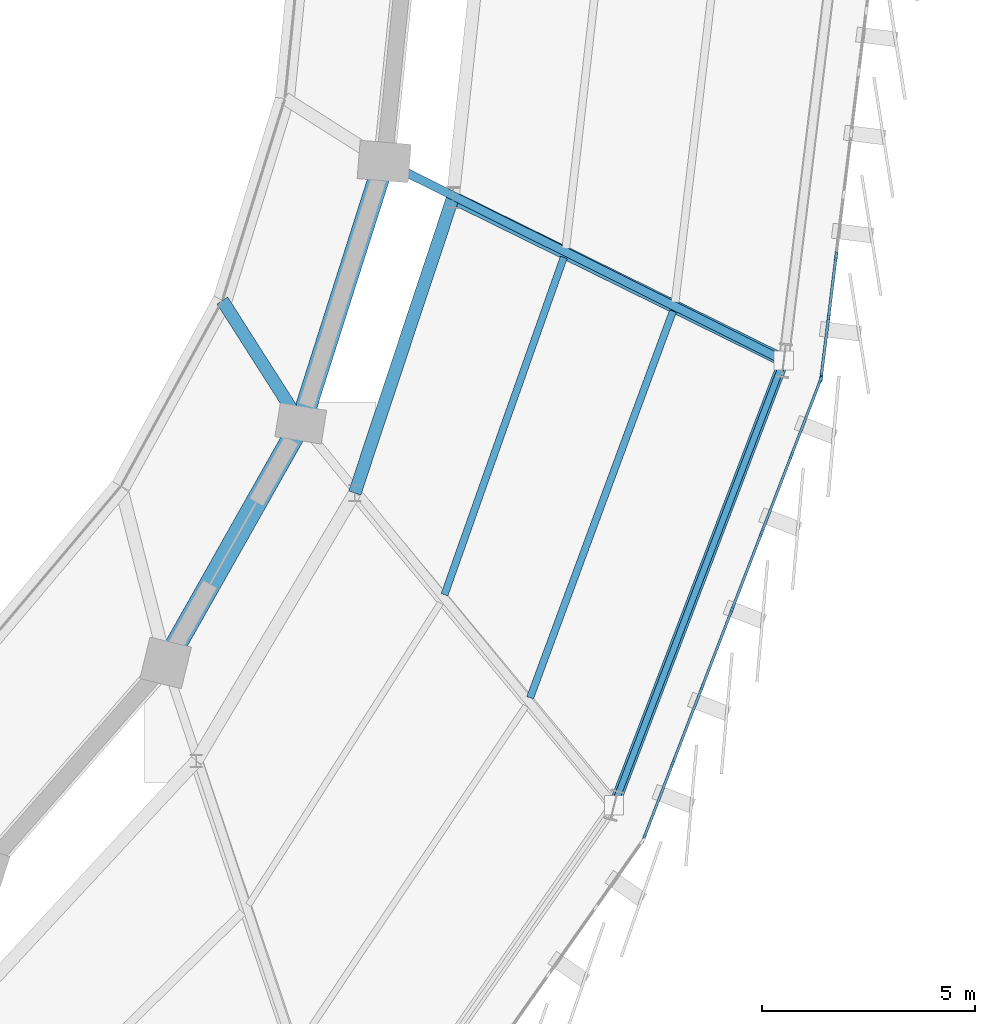
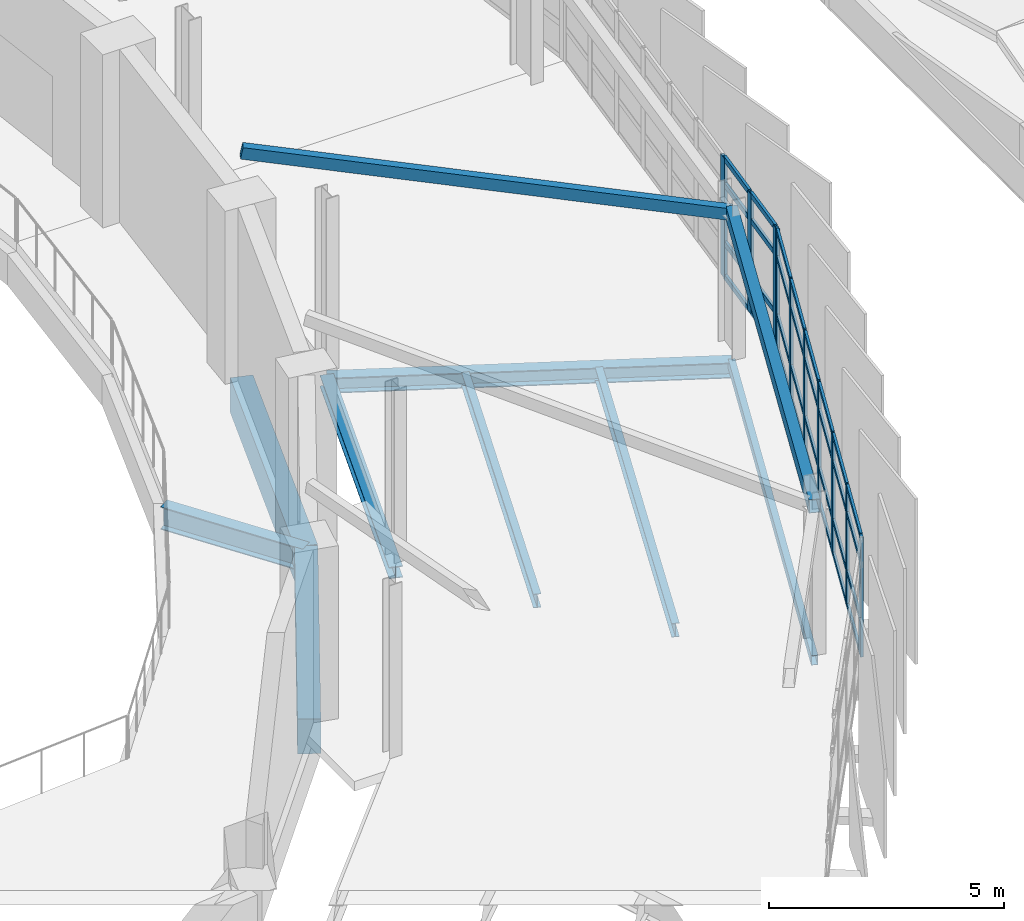
# One storey, part 42 of 87: 44 members, 8 beams, 2 elements without a shape of their own.
"""IFC4 building model written with IfcOpenShell, lengths in metres."""

from ifc_helpers import new_model, si_unit, direction, frame, origin, origin_2d, place, context, subcontext, project, spatial, rectangle, hollow_rectangle, i_section, extrude, material, layer, layer_set, material_profile, profile_set, type_object, element, aggregate, save


model = new_model("IFC4")

# Units and contexts
model_context = context("Model", 3, precision=1e-05, world=origin(), true_north=direction((0.0, 1.0)))
body_context = subcontext(model_context, "Body", "Model", "MODEL_VIEW")
ifc_project = project(units=[si_unit("LENGTHUNIT", "METRE"), si_unit("AREAUNIT", "SQUARE_METRE"), si_unit("VOLUMEUNIT", "CUBIC_METRE"), si_unit("PLANEANGLEUNIT", "RADIAN"), si_unit("MASSUNIT", "GRAM", prefix="KILO")], contexts=[model_context])

# Site, building, storey
site_placement = place(None, origin())
site = spatial("IfcSite", under=ifc_project, at=site_placement, CompositionType="ELEMENT")
building_placement = place(site_placement, origin())
building = spatial("IfcBuilding", under=site, at=building_placement, Name="Sohan Crest Arena", CompositionType="ELEMENT")
storey_placement = place(building_placement, frame((0.0, 0.0, 18.0)))
storey = spatial("IfcBuildingStorey", under=building, at=storey_placement, Name="L04", CompositionType="ELEMENT", Elevation=18.0)

# Curtain wall, members
ifc_material_1 = material(Name="Thermally broken anodised aluminium", Category="aluminium")
ifc_layer_1 = layer(ifc_material_1, 0.239990234375, Name="Thermally broken anodised aluminium")
ifc_layer_set_1 = layer_set([ifc_layer_1], Name="Thermally broken anodised aluminium")
curtain_wall_type_1 = type_object("IfcCurtainWallType", Name="ARC-CW04", PredefinedType="NOTDEFINED", material=ifc_layer_set_1)
curtain_wall_1_placement = place(storey_placement, origin())
curtain_wall_1 = element("IfcCurtainWall", 1, at=curtain_wall_1_placement, inside=storey, type_object=curtain_wall_type_1, Name="Unitised curtain wall CW-133", PredefinedType="NOTDEFINED")
ifc_material_profile_1 = material_profile(ifc_material_1, rectangle(XDim=0.06494140625, YDim=0.179931640625, at=origin_2d()), Name="ALU-MULL 65x180")
ifc_profile_set_1 = profile_set([ifc_material_profile_1], Name="Thermally broken anodised aluminium")
member_type_1 = type_object("IfcMemberType", Name="ARC-CW-ML02", PredefinedType="MULLION", material=ifc_profile_set_1)
member_1_placement = place(storey_placement, frame((183.442626953125, 55.725341796875, 0.0), z_axis=(0.0, 0.0, 1.0), x_axis=(-0.933093964969, 0.359632663337, 0.0)))
member_1 = element("IfcMember", 2, at=member_1_placement, type_object=member_type_1, Name="CW-133 mullion 1", PredefinedType="MULLION", context=body_context, shape_type="SweptSolid", body=[
    extrude(rectangle(XDim=0.06494140625, YDim=0.179931640625, at=origin_2d()), origin(), (0.0, 0.0, 1.0), 3.1201171875),
])
member_2_placement = place(storey_placement, frame((184.125244140625, 57.49658203125, 0.0), z_axis=(0.0, 0.0, 1.0), x_axis=(-0.933093964969, 0.359632663337, 0.0)))
member_2 = element("IfcMember", 3, at=member_2_placement, type_object=member_type_1, Name="CW-133 mullion 2", PredefinedType="MULLION", context=body_context, shape_type="SweptSolid", body=[
    extrude(rectangle(XDim=0.06494140625, YDim=0.179931640625, at=origin_2d()), origin(), (0.0, 0.0, 1.0), 3.1201171875),
])
member_3_placement = place(storey_placement, frame((184.819580078125, 59.298095703125, 0.0), z_axis=(0.0, 0.0, 1.0), x_axis=(-0.933093964969, 0.359632663337, 0.0)))
member_3 = element("IfcMember", 4, at=member_3_placement, type_object=member_type_1, Name="CW-133 mullion 3", PredefinedType="MULLION", context=body_context, shape_type="SweptSolid", body=[
    extrude(rectangle(XDim=0.06494140625, YDim=0.179931640625, at=origin_2d()), origin(), (0.0, 0.0, 1.0), 3.1201171875),
])
member_4_placement = place(storey_placement, frame((185.513916015625, 61.099609375, 0.0), z_axis=(0.0, 0.0, 1.0), x_axis=(-0.933093964969, 0.359632663337, 0.0)))
member_4 = element("IfcMember", 5, at=member_4_placement, type_object=member_type_1, Name="CW-133 mullion 4", PredefinedType="MULLION", context=body_context, shape_type="SweptSolid", body=[
    extrude(rectangle(XDim=0.06494140625, YDim=0.179931640625, at=origin_2d()), origin(), (0.0, 0.0, 1.0), 3.1201171875),
])
member_5_placement = place(storey_placement, frame((186.208251953125, 62.90087890625, 0.0), z_axis=(0.0, 0.0, 1.0), x_axis=(-0.933093964969, 0.359632663337, 0.0)))
member_5 = element("IfcMember", 6, at=member_5_placement, type_object=member_type_1, Name="CW-133 mullion 5", PredefinedType="MULLION", context=body_context, shape_type="SweptSolid", body=[
    extrude(rectangle(XDim=0.06494140625, YDim=0.179931640625, at=origin_2d()), origin(), (0.0, 0.0, 1.0), 3.1201171875),
])
member_6_placement = place(storey_placement, frame((186.902587890625, 64.702392578125, 0.0), z_axis=(0.0, 0.0, 1.0), x_axis=(-0.933093964969, 0.359632663337, 0.0)))
member_6 = element("IfcMember", 7, at=member_6_placement, type_object=member_type_1, Name="CW-133 mullion 6", PredefinedType="MULLION", context=body_context, shape_type="SweptSolid", body=[
    extrude(rectangle(XDim=0.06494140625, YDim=0.179931640625, at=origin_2d()), origin(), (0.0, 0.0, 1.0), 3.1201171875),
])
member_7_placement = place(storey_placement, frame((187.585205078125, 66.4736328125, 0.0), z_axis=(0.0, 0.0, 1.0), x_axis=(-0.933093964969, 0.359632663337, 0.0)))
member_7 = element("IfcMember", 8, at=member_7_placement, type_object=member_type_1, Name="CW-133 mullion 7", PredefinedType="MULLION", context=body_context, shape_type="SweptSolid", body=[
    extrude(rectangle(XDim=0.06494140625, YDim=0.179931640625, at=origin_2d()), origin(), (0.0, 0.0, 1.0), 3.1201171875),
])

ifc_layer_2 = layer(ifc_material_1, 0.18994140625, Name="Thermally broken anodised aluminium")
ifc_layer_set_2 = layer_set([ifc_layer_2], Name="Thermally broken anodised aluminium")
curtain_wall_type_2 = type_object("IfcCurtainWallType", Name="ARC-CW05", PredefinedType="NOTDEFINED", material=ifc_layer_set_2)
curtain_wall_2_placement = place(storey_placement, origin())
curtain_wall_2 = element("IfcCurtainWall", 9, at=curtain_wall_2_placement, inside=storey, type_object=curtain_wall_type_2, Name="Unitised curtain wall CW-134", PredefinedType="NOTDEFINED")
ifc_material_profile_2 = material_profile(ifc_material_1, rectangle(XDim=0.070068359375, YDim=0.199951171875, at=origin_2d()), Name="ALU-MULL 70x200")
ifc_profile_set_2 = profile_set([ifc_material_profile_2], Name="Thermally broken anodised aluminium")
member_type_2 = type_object("IfcMemberType", Name="ARC-CW-ML03", PredefinedType="MULLION", material=ifc_profile_set_2)
member_8_placement = place(storey_placement, frame((187.601318359375, 66.538818359375, 0.0), z_axis=(0.0, 0.0, 1.0), x_axis=(-0.992488933309, 0.122334448372, 0.0)))
member_8 = element("IfcMember", 10, at=member_8_placement, type_object=member_type_2, Name="CW-134 mullion 1", PredefinedType="MULLION", context=body_context, shape_type="SweptSolid", body=[
    extrude(rectangle(XDim=0.070068359375, YDim=0.199951171875, at=origin_2d()), origin(), (0.0, 0.0, 1.0), 3.1201171875),
])
member_9_placement = place(storey_placement, frame((187.774169921875, 67.94091796875, 0.0), z_axis=(0.0, 0.0, 1.0), x_axis=(-0.992488933309, 0.122334448372, 0.0)))
member_9 = element("IfcMember", 11, at=member_9_placement, type_object=member_type_2, Name="CW-134 mullion 2", PredefinedType="MULLION", context=body_context, shape_type="SweptSolid", body=[
    extrude(rectangle(XDim=0.070068359375, YDim=0.199951171875, at=origin_2d()), origin(), (0.0, 0.0, 1.0), 3.1201171875),
])
member_10_placement = place(storey_placement, frame((187.951171875, 69.3779296875, 0.0), z_axis=(0.0, 0.0, 1.0), x_axis=(-0.992488933309, 0.122334448372, 0.0)))
member_10 = element("IfcMember", 12, at=member_10_placement, type_object=member_type_2, Name="CW-134 mullion 3", PredefinedType="MULLION", context=body_context, shape_type="SweptSolid", body=[
    extrude(rectangle(XDim=0.070068359375, YDim=0.199951171875, at=origin_2d()), origin(), (0.0, 0.0, 1.0), 3.1201171875),
])

# Member
ifc_material_profile_3 = material_profile(ifc_material_1, rectangle(XDim=0.06005859375, YDim=0.1201171875, at=origin_2d()), Name="ALU-TRAN 60x120")
ifc_profile_set_3 = profile_set([ifc_material_profile_3], Name="Thermally broken anodised aluminium")
member_type_3 = type_object("IfcMemberType", Name="ARC-CW-TR01", PredefinedType="USERDEFINED", material=ifc_profile_set_3)
member_11_placement = place(storey_placement, frame((183.454345703125, 55.755615234375, 0.030029296875), z_axis=(0.35960374002, 0.933105112066, 0.0), x_axis=(-0.933105112066, 0.35960374002, 0.0)))
member_11 = element("IfcMember", 13, at=member_11_placement, type_object=member_type_3, Name="CW-133 transom 1.1", ObjectType="TRANSOM", PredefinedType="USERDEFINED", context=body_context, shape_type="SweptSolid", body=[
    extrude(rectangle(XDim=0.06005859375, YDim=0.1201171875, at=origin_2d()), origin(), (0.0, 0.0, 1.0), 1.8330078125),
])

member_12_placement = place(storey_placement, frame((183.454345703125, 55.755615234375, 0.89990234375), z_axis=(0.35960374002, 0.933105112066, 0.0), x_axis=(-0.933105112066, 0.35960374002, 0.0)))
member_12 = element("IfcMember", 14, at=member_12_placement, type_object=member_type_3, Name="CW-133 transom 1.2", ObjectType="TRANSOM", PredefinedType="USERDEFINED", context=body_context, shape_type="SweptSolid", body=[
    extrude(rectangle(XDim=0.06005859375, YDim=0.1201171875, at=origin_2d()), origin(), (0.0, 0.0, 1.0), 1.8330078125),
])

member_13_placement = place(storey_placement, frame((183.454345703125, 55.755615234375, 2.419921875), z_axis=(0.35960374002, 0.933105112066, 0.0), x_axis=(-0.933105112066, 0.35960374002, 0.0)))
member_13 = element("IfcMember", 15, at=member_13_placement, type_object=member_type_3, Name="CW-133 transom 1.3", ObjectType="TRANSOM", PredefinedType="USERDEFINED", context=body_context, shape_type="SweptSolid", body=[
    extrude(rectangle(XDim=0.06005859375, YDim=0.1201171875, at=origin_2d()), origin(), (0.0, 0.0, 1.0), 1.8330078125),
])

member_14_placement = place(storey_placement, frame((183.454345703125, 55.755615234375, 3.090087890625), z_axis=(0.35960374002, 0.933105112066, 0.0), x_axis=(-0.933105112066, 0.35960374002, 0.0)))
member_14 = element("IfcMember", 16, at=member_14_placement, type_object=member_type_3, Name="CW-133 transom 1.4", ObjectType="TRANSOM", PredefinedType="USERDEFINED", context=body_context, shape_type="SweptSolid", body=[
    extrude(rectangle(XDim=0.06005859375, YDim=0.1201171875, at=origin_2d()), origin(), (0.0, 0.0, 1.0), 1.8330078125),
])

member_15_placement = place(storey_placement, frame((184.136962890625, 57.52685546875, 0.030029296875), z_axis=(0.35962794075, 0.933095785133, 0.0), x_axis=(-0.933095785133, 0.35962794075, 0.0)))
member_15 = element("IfcMember", 17, at=member_15_placement, type_object=member_type_3, Name="CW-133 transom 2.1", ObjectType="TRANSOM", PredefinedType="USERDEFINED", context=body_context, shape_type="SweptSolid", body=[
    extrude(rectangle(XDim=0.06005859375, YDim=0.1201171875, at=origin_2d()), origin(), (0.0, 0.0, 1.0), 1.865478515625),
])

member_16_placement = place(storey_placement, frame((184.136962890625, 57.52685546875, 0.89990234375), z_axis=(0.35962794075, 0.933095785133, 0.0), x_axis=(-0.933095785133, 0.35962794075, 0.0)))
member_16 = element("IfcMember", 18, at=member_16_placement, type_object=member_type_3, Name="CW-133 transom 2.2", ObjectType="TRANSOM", PredefinedType="USERDEFINED", context=body_context, shape_type="SweptSolid", body=[
    extrude(rectangle(XDim=0.06005859375, YDim=0.1201171875, at=origin_2d()), origin(), (0.0, 0.0, 1.0), 1.865478515625),
])

member_17_placement = place(storey_placement, frame((184.136962890625, 57.52685546875, 2.419921875), z_axis=(0.35962794075, 0.933095785133, 0.0), x_axis=(-0.933095785133, 0.35962794075, 0.0)))
member_17 = element("IfcMember", 19, at=member_17_placement, type_object=member_type_3, Name="CW-133 transom 2.3", ObjectType="TRANSOM", PredefinedType="USERDEFINED", context=body_context, shape_type="SweptSolid", body=[
    extrude(rectangle(XDim=0.06005859375, YDim=0.1201171875, at=origin_2d()), origin(), (0.0, 0.0, 1.0), 1.865478515625),
])

member_18_placement = place(storey_placement, frame((184.136962890625, 57.52685546875, 3.090087890625), z_axis=(0.35962794075, 0.933095785133, 0.0), x_axis=(-0.933095785133, 0.35962794075, 0.0)))
member_18 = element("IfcMember", 20, at=member_18_placement, type_object=member_type_3, Name="CW-133 transom 2.4", ObjectType="TRANSOM", PredefinedType="USERDEFINED", context=body_context, shape_type="SweptSolid", body=[
    extrude(rectangle(XDim=0.06005859375, YDim=0.1201171875, at=origin_2d()), origin(), (0.0, 0.0, 1.0), 1.865478515625),
])

member_19_placement = place(storey_placement, frame((184.831298828125, 59.328369140625, 0.030029296875), z_axis=(0.35962794075, 0.933095785133, 0.0), x_axis=(-0.933095785133, 0.35962794075, 0.0)))
member_19 = element("IfcMember", 21, at=member_19_placement, type_object=member_type_3, Name="CW-133 transom 3.1", ObjectType="TRANSOM", PredefinedType="USERDEFINED", context=body_context, shape_type="SweptSolid", body=[
    extrude(rectangle(XDim=0.06005859375, YDim=0.1201171875, at=origin_2d()), origin(), (0.0, 0.0, 1.0), 1.865478515625),
])

member_20_placement = place(storey_placement, frame((184.831298828125, 59.328369140625, 0.89990234375), z_axis=(0.35962794075, 0.933095785133, 0.0), x_axis=(-0.933095785133, 0.35962794075, 0.0)))
member_20 = element("IfcMember", 22, at=member_20_placement, type_object=member_type_3, Name="CW-133 transom 3.2", ObjectType="TRANSOM", PredefinedType="USERDEFINED", context=body_context, shape_type="SweptSolid", body=[
    extrude(rectangle(XDim=0.06005859375, YDim=0.1201171875, at=origin_2d()), origin(), (0.0, 0.0, 1.0), 1.865478515625),
])

member_21_placement = place(storey_placement, frame((184.831298828125, 59.328369140625, 2.419921875), z_axis=(0.35962794075, 0.933095785133, 0.0), x_axis=(-0.933095785133, 0.35962794075, 0.0)))
member_21 = element("IfcMember", 23, at=member_21_placement, type_object=member_type_3, Name="CW-133 transom 3.3", ObjectType="TRANSOM", PredefinedType="USERDEFINED", context=body_context, shape_type="SweptSolid", body=[
    extrude(rectangle(XDim=0.06005859375, YDim=0.1201171875, at=origin_2d()), origin(), (0.0, 0.0, 1.0), 1.865478515625),
])

member_22_placement = place(storey_placement, frame((184.831298828125, 59.328369140625, 3.090087890625), z_axis=(0.35962794075, 0.933095785133, 0.0), x_axis=(-0.933095785133, 0.35962794075, 0.0)))
member_22 = element("IfcMember", 24, at=member_22_placement, type_object=member_type_3, Name="CW-133 transom 3.4", ObjectType="TRANSOM", PredefinedType="USERDEFINED", context=body_context, shape_type="SweptSolid", body=[
    extrude(rectangle(XDim=0.06005859375, YDim=0.1201171875, at=origin_2d()), origin(), (0.0, 0.0, 1.0), 1.865478515625),
])

member_23_placement = place(storey_placement, frame((185.525634765625, 61.1298828125, 0.030029296875), z_axis=(0.35962794075, 0.933095785133, 0.0), x_axis=(-0.933095785133, 0.35962794075, 0.0)))
member_23 = element("IfcMember", 25, at=member_23_placement, type_object=member_type_3, Name="CW-133 transom 4.1", ObjectType="TRANSOM", PredefinedType="USERDEFINED", context=body_context, shape_type="SweptSolid", body=[
    extrude(rectangle(XDim=0.06005859375, YDim=0.1201171875, at=origin_2d()), origin(), (0.0, 0.0, 1.0), 1.865478515625),
])

member_24_placement = place(storey_placement, frame((185.525634765625, 61.1298828125, 0.89990234375), z_axis=(0.35962794075, 0.933095785133, 0.0), x_axis=(-0.933095785133, 0.35962794075, 0.0)))
member_24 = element("IfcMember", 26, at=member_24_placement, type_object=member_type_3, Name="CW-133 transom 4.2", ObjectType="TRANSOM", PredefinedType="USERDEFINED", context=body_context, shape_type="SweptSolid", body=[
    extrude(rectangle(XDim=0.06005859375, YDim=0.1201171875, at=origin_2d()), origin(), (0.0, 0.0, 1.0), 1.865478515625),
])

member_25_placement = place(storey_placement, frame((185.525634765625, 61.1298828125, 2.419921875), z_axis=(0.35962794075, 0.933095785133, 0.0), x_axis=(-0.933095785133, 0.35962794075, 0.0)))
member_25 = element("IfcMember", 27, at=member_25_placement, type_object=member_type_3, Name="CW-133 transom 4.3", ObjectType="TRANSOM", PredefinedType="USERDEFINED", context=body_context, shape_type="SweptSolid", body=[
    extrude(rectangle(XDim=0.06005859375, YDim=0.1201171875, at=origin_2d()), origin(), (0.0, 0.0, 1.0), 1.865478515625),
])

member_26_placement = place(storey_placement, frame((185.525634765625, 61.1298828125, 3.090087890625), z_axis=(0.35962794075, 0.933095785133, 0.0), x_axis=(-0.933095785133, 0.35962794075, 0.0)))
member_26 = element("IfcMember", 28, at=member_26_placement, type_object=member_type_3, Name="CW-133 transom 4.4", ObjectType="TRANSOM", PredefinedType="USERDEFINED", context=body_context, shape_type="SweptSolid", body=[
    extrude(rectangle(XDim=0.06005859375, YDim=0.1201171875, at=origin_2d()), origin(), (0.0, 0.0, 1.0), 1.865478515625),
])

member_27_placement = place(storey_placement, frame((186.219970703125, 62.931396484375, 0.030029296875), z_axis=(0.35962794075, 0.933095785133, 0.0), x_axis=(-0.933095785133, 0.35962794075, 0.0)))
member_27 = element("IfcMember", 29, at=member_27_placement, type_object=member_type_3, Name="CW-133 transom 5.1", ObjectType="TRANSOM", PredefinedType="USERDEFINED", context=body_context, shape_type="SweptSolid", body=[
    extrude(rectangle(XDim=0.06005859375, YDim=0.1201171875, at=origin_2d()), origin(), (0.0, 0.0, 1.0), 1.865478515625),
])

member_28_placement = place(storey_placement, frame((186.219970703125, 62.931396484375, 0.89990234375), z_axis=(0.35962794075, 0.933095785133, 0.0), x_axis=(-0.933095785133, 0.35962794075, 0.0)))
member_28 = element("IfcMember", 30, at=member_28_placement, type_object=member_type_3, Name="CW-133 transom 5.2", ObjectType="TRANSOM", PredefinedType="USERDEFINED", context=body_context, shape_type="SweptSolid", body=[
    extrude(rectangle(XDim=0.06005859375, YDim=0.1201171875, at=origin_2d()), origin(), (0.0, 0.0, 1.0), 1.865478515625),
])

member_29_placement = place(storey_placement, frame((186.219970703125, 62.931396484375, 2.419921875), z_axis=(0.35962794075, 0.933095785133, 0.0), x_axis=(-0.933095785133, 0.35962794075, 0.0)))
member_29 = element("IfcMember", 31, at=member_29_placement, type_object=member_type_3, Name="CW-133 transom 5.3", ObjectType="TRANSOM", PredefinedType="USERDEFINED", context=body_context, shape_type="SweptSolid", body=[
    extrude(rectangle(XDim=0.06005859375, YDim=0.1201171875, at=origin_2d()), origin(), (0.0, 0.0, 1.0), 1.865478515625),
])

member_30_placement = place(storey_placement, frame((186.219970703125, 62.931396484375, 3.090087890625), z_axis=(0.35962794075, 0.933095785133, 0.0), x_axis=(-0.933095785133, 0.35962794075, 0.0)))
member_30 = element("IfcMember", 32, at=member_30_placement, type_object=member_type_3, Name="CW-133 transom 5.4", ObjectType="TRANSOM", PredefinedType="USERDEFINED", context=body_context, shape_type="SweptSolid", body=[
    extrude(rectangle(XDim=0.06005859375, YDim=0.1201171875, at=origin_2d()), origin(), (0.0, 0.0, 1.0), 1.865478515625),
])

member_31_placement = place(storey_placement, frame((186.914306640625, 64.73291015625, 0.030029296875), z_axis=(0.359719695257, 0.933060416503, 0.0), x_axis=(-0.933060416503, 0.359719695257, 0.0)))
member_31 = element("IfcMember", 33, at=member_31_placement, type_object=member_type_3, Name="CW-133 transom 6.1", ObjectType="TRANSOM", PredefinedType="USERDEFINED", context=body_context, shape_type="SweptSolid", body=[
    extrude(rectangle(XDim=0.06005859375, YDim=0.1201171875, at=origin_2d()), origin(), (0.0, 0.0, 1.0), 1.833251953125),
])

member_32_placement = place(storey_placement, frame((186.914306640625, 64.73291015625, 0.89990234375), z_axis=(0.359719695257, 0.933060416503, 0.0), x_axis=(-0.933060416503, 0.359719695257, 0.0)))
member_32 = element("IfcMember", 34, at=member_32_placement, type_object=member_type_3, Name="CW-133 transom 6.2", ObjectType="TRANSOM", PredefinedType="USERDEFINED", context=body_context, shape_type="SweptSolid", body=[
    extrude(rectangle(XDim=0.06005859375, YDim=0.1201171875, at=origin_2d()), origin(), (0.0, 0.0, 1.0), 1.833251953125),
])

member_33_placement = place(storey_placement, frame((186.914306640625, 64.73291015625, 2.419921875), z_axis=(0.359719695257, 0.933060416503, 0.0), x_axis=(-0.933060416503, 0.359719695257, 0.0)))
member_33 = element("IfcMember", 35, at=member_33_placement, type_object=member_type_3, Name="CW-133 transom 6.3", ObjectType="TRANSOM", PredefinedType="USERDEFINED", context=body_context, shape_type="SweptSolid", body=[
    extrude(rectangle(XDim=0.06005859375, YDim=0.1201171875, at=origin_2d()), origin(), (0.0, 0.0, 1.0), 1.833251953125),
])

member_34_placement = place(storey_placement, frame((186.914306640625, 64.73291015625, 3.090087890625), z_axis=(0.359719695257, 0.933060416503, 0.0), x_axis=(-0.933060416503, 0.359719695257, 0.0)))
member_34 = element("IfcMember", 36, at=member_34_placement, type_object=member_type_3, Name="CW-133 transom 6.4", ObjectType="TRANSOM", PredefinedType="USERDEFINED", context=body_context, shape_type="SweptSolid", body=[
    extrude(rectangle(XDim=0.06005859375, YDim=0.1201171875, at=origin_2d()), origin(), (0.0, 0.0, 1.0), 1.833251953125),
])

aggregate(curtain_wall_1, [member_1, member_2, member_3, member_4, member_5, member_6, member_7, member_11, member_12, member_13, member_14, member_15, member_16, member_17, member_18, member_19, member_20, member_21, member_22, member_23, member_24, member_25, member_26, member_27, member_28, member_29, member_30, member_31, member_32, member_33, member_34])

ifc_material_profile_4 = material_profile(ifc_material_1, rectangle(XDim=0.06494140625, YDim=0.139892578125, at=origin_2d()), Name="ALU-TRAN 65x140")
ifc_profile_set_4 = profile_set([ifc_material_profile_4], Name="Thermally broken anodised aluminium")
member_type_4 = type_object("IfcMemberType", Name="ARC-CW-TR02", PredefinedType="USERDEFINED", material=ifc_profile_set_4)
member_35_placement = place(storey_placement, frame((187.60546875, 66.573486328125, 0.032470703125), z_axis=(0.12235633565, 0.992486235233, 0.0), x_axis=(-0.992486235233, 0.12235633565, 0.0)))
member_35 = element("IfcMember", 37, at=member_35_placement, type_object=member_type_4, Name="CW-134 transom 1.1", ObjectType="TRANSOM", PredefinedType="USERDEFINED", context=body_context, shape_type="SweptSolid", body=[
    extrude(rectangle(XDim=0.06494140625, YDim=0.139892578125, at=origin_2d()), origin(), (0.0, 0.0, 1.0), 1.3427734375),
])

member_36_placement = place(storey_placement, frame((187.60546875, 66.573486328125, 0.89990234375), z_axis=(0.12235633565, 0.992486235233, 0.0), x_axis=(-0.992486235233, 0.12235633565, 0.0)))
member_36 = element("IfcMember", 38, at=member_36_placement, type_object=member_type_4, Name="CW-134 transom 1.2", ObjectType="TRANSOM", PredefinedType="USERDEFINED", context=body_context, shape_type="SweptSolid", body=[
    extrude(rectangle(XDim=0.06494140625, YDim=0.139892578125, at=origin_2d()), origin(), (0.0, 0.0, 1.0), 1.3427734375),
])

member_37_placement = place(storey_placement, frame((187.60546875, 66.573486328125, 2.419921875), z_axis=(0.12235633565, 0.992486235233, 0.0), x_axis=(-0.992486235233, 0.12235633565, 0.0)))
member_37 = element("IfcMember", 39, at=member_37_placement, type_object=member_type_4, Name="CW-134 transom 1.3", ObjectType="TRANSOM", PredefinedType="USERDEFINED", context=body_context, shape_type="SweptSolid", body=[
    extrude(rectangle(XDim=0.06494140625, YDim=0.139892578125, at=origin_2d()), origin(), (0.0, 0.0, 1.0), 1.3427734375),
])

member_38_placement = place(storey_placement, frame((187.60546875, 66.573486328125, 3.08740234375), z_axis=(0.12235633565, 0.992486235233, 0.0), x_axis=(-0.992486235233, 0.12235633565, 0.0)))
member_38 = element("IfcMember", 40, at=member_38_placement, type_object=member_type_4, Name="CW-134 transom 1.4", ObjectType="TRANSOM", PredefinedType="USERDEFINED", context=body_context, shape_type="SweptSolid", body=[
    extrude(rectangle(XDim=0.06494140625, YDim=0.139892578125, at=origin_2d()), origin(), (0.0, 0.0, 1.0), 1.3427734375),
])

member_39_placement = place(storey_placement, frame((187.7783203125, 67.975830078125, 0.032470703125), z_axis=(0.12244253574, 0.992475604457, 0.0), x_axis=(-0.992475604457, 0.12244253574, 0.0)))
member_39 = element("IfcMember", 41, at=member_39_placement, type_object=member_type_4, Name="CW-134 transom 2.1", ObjectType="TRANSOM", PredefinedType="USERDEFINED", context=body_context, shape_type="SweptSolid", body=[
    extrude(rectangle(XDim=0.06494140625, YDim=0.139892578125, at=origin_2d()), origin(), (0.0, 0.0, 1.0), 1.377685546875),
])

member_40_placement = place(storey_placement, frame((187.7783203125, 67.975830078125, 0.89990234375), z_axis=(0.12244253574, 0.992475604457, 0.0), x_axis=(-0.992475604457, 0.12244253574, 0.0)))
member_40 = element("IfcMember", 42, at=member_40_placement, type_object=member_type_4, Name="CW-134 transom 2.2", ObjectType="TRANSOM", PredefinedType="USERDEFINED", context=body_context, shape_type="SweptSolid", body=[
    extrude(rectangle(XDim=0.06494140625, YDim=0.139892578125, at=origin_2d()), origin(), (0.0, 0.0, 1.0), 1.377685546875),
])

member_41_placement = place(storey_placement, frame((187.7783203125, 67.975830078125, 2.419921875), z_axis=(0.12244253574, 0.992475604457, 0.0), x_axis=(-0.992475604457, 0.12244253574, 0.0)))
member_41 = element("IfcMember", 43, at=member_41_placement, type_object=member_type_4, Name="CW-134 transom 2.3", ObjectType="TRANSOM", PredefinedType="USERDEFINED", context=body_context, shape_type="SweptSolid", body=[
    extrude(rectangle(XDim=0.06494140625, YDim=0.139892578125, at=origin_2d()), origin(), (0.0, 0.0, 1.0), 1.377685546875),
])

member_42_placement = place(storey_placement, frame((187.7783203125, 67.975830078125, 3.08740234375), z_axis=(0.12244253574, 0.992475604457, 0.0), x_axis=(-0.992475604457, 0.12244253574, 0.0)))
member_42 = element("IfcMember", 44, at=member_42_placement, type_object=member_type_4, Name="CW-134 transom 2.4", ObjectType="TRANSOM", PredefinedType="USERDEFINED", context=body_context, shape_type="SweptSolid", body=[
    extrude(rectangle(XDim=0.06494140625, YDim=0.139892578125, at=origin_2d()), origin(), (0.0, 0.0, 1.0), 1.377685546875),
])

aggregate(curtain_wall_2, [member_8, member_9, member_10, member_35, member_36, member_37, member_38, member_39, member_40, member_41, member_42])

# Beams
ifc_material_2 = material(Name="Steel S355", Category="steel")
ifc_material_profile_5 = material_profile(ifc_material_2, i_section(OverallWidth=0.169921875, OverallDepth=0.360107421875, WebThickness=0.008056640625, FlangeThickness=0.0126953125, at=origin_2d()), Name="IPE 360")
ifc_profile_set_5 = profile_set([ifc_material_profile_5], Name="Steel S355")
beam_type_1 = type_object("IfcBeamType", Name="STR-BM-B02", PredefinedType="JOIST", material=ifc_profile_set_5)
beam_1_placement = place(storey_placement, frame((178.77587890625, 61.44189453125, -0.429931640625), z_axis=(0.333403454645, 0.942784247021, 0.0), x_axis=(-0.942784247021, 0.333403454645, 0.0)))
element("IfcBeam", 45, at=beam_1_placement, inside=storey, type_object=beam_type_1, Name="Structural beam J-L04-1647", PredefinedType="JOIST", context=body_context, shape_type="SweptSolid", body=[
    extrude(i_section(OverallWidth=0.169921875, OverallDepth=0.360107421875, WebThickness=0.008056640625, FlangeThickness=0.0126953125, at=origin_2d()), origin(), (0.0, 0.0, 1.0), 8.3837890625),
])
beam_2_placement = place(storey_placement, frame((180.781982421875, 59.028076171875, -0.429931640625), z_axis=(0.346567455642, 0.938025052272, 0.0), x_axis=(-0.938025052272, 0.346567455642, 0.0)))
element("IfcBeam", 46, at=beam_2_placement, inside=storey, type_object=beam_type_1, Name="Structural beam J-L04-1648", PredefinedType="JOIST", context=body_context, shape_type="SweptSolid", body=[
    extrude(i_section(OverallWidth=0.169921875, OverallDepth=0.360107421875, WebThickness=0.008056640625, FlangeThickness=0.0126953125, at=origin_2d()), origin(), (0.0, 0.0, 1.0), 9.657470703125),
])
ifc_material_profile_6 = material_profile(ifc_material_2, i_section(OverallWidth=0.300048828125, OverallDepth=0.590087890625, WebThickness=0.012939453125, FlangeThickness=0.02490234375, at=origin_2d()), Name="HEA 600")
ifc_profile_set_6 = profile_set([ifc_material_profile_6], Name="Steel S355")
beam_type_2 = type_object("IfcBeamType", Name="STR-BM-B11", PredefinedType="BEAM", material=ifc_profile_set_6)
beam_3_placement = place(storey_placement, frame((173.571044921875, 68.3359375, -0.544921875), z_axis=(0.537836706891, -0.843049035775, 0.0), x_axis=(0.843049035775, 0.537836706891, 0.0)))
element("IfcBeam", 47, at=beam_3_placement, inside=storey, type_object=beam_type_2, Name="Structural beam G-L04-0542", PredefinedType="BEAM", context=body_context, shape_type="SweptSolid", body=[
    extrude(i_section(OverallWidth=0.300048828125, OverallDepth=0.590087890625, WebThickness=0.012939453125, FlangeThickness=0.02490234375, at=origin_2d()), origin(), (0.0, 0.0, 1.0), 3.417236328125),
])
ifc_material_profile_7 = material_profile(ifc_material_2, i_section(OverallWidth=0.300048828125, OverallDepth=0.300048828125, WebThickness=0.010986328125, FlangeThickness=0.01904296875, at=origin_2d()), Name="HEB 300")
ifc_profile_set_7 = profile_set([ifc_material_profile_7], Name="Steel S355")
beam_type_3 = type_object("IfcBeamType", Name="STR-BM-B12", PredefinedType="BEAM", material=ifc_profile_set_7)
beam_4_placement = place(storey_placement, frame((176.674072265625, 63.824951171875, -0.39990234375), z_axis=(0.315012572955, 0.949087498011, 0.0), x_axis=(-0.949087498011, 0.315012572955, 0.0)))
element("IfcBeam", 48, at=beam_4_placement, inside=storey, type_object=beam_type_3, Name="Structural beam G-L04-1645", PredefinedType="BEAM", context=body_context, shape_type="SweptSolid", body=[
    extrude(i_section(OverallWidth=0.300048828125, OverallDepth=0.300048828125, WebThickness=0.010986328125, FlangeThickness=0.01904296875, at=origin_2d()), origin(), (0.0, 0.0, 1.0), 7.29443359375),
])
ifc_material_profile_8 = material_profile(ifc_material_2, i_section(OverallWidth=0.300048828125, OverallDepth=0.39990234375, WebThickness=0.013427734375, FlangeThickness=0.02392578125, at=origin_2d()), Name="HEB 400")
ifc_profile_set_8 = profile_set([ifc_material_profile_8], Name="Steel S355")
beam_type_4 = type_object("IfcBeamType", Name="STR-BM-B13", PredefinedType="BEAM", material=ifc_profile_set_8)
beam_5_placement = place(storey_placement, frame((178.971923828125, 70.748046875, -0.449951171875), z_axis=(0.897117109087, -0.441792816356, 0.0), x_axis=(0.441792816356, 0.897117109087, 0.0)))
element("IfcBeam", 49, at=beam_5_placement, inside=storey, type_object=beam_type_4, Name="Structural beam G-L04-1649", PredefinedType="BEAM", context=body_context, shape_type="SweptSolid", body=[
    extrude(i_section(OverallWidth=0.300048828125, OverallDepth=0.39990234375, WebThickness=0.013427734375, FlangeThickness=0.02392578125, at=origin_2d()), origin(), (0.0, 0.0, 1.0), 8.642333984375),
])
ifc_material_profile_9 = material_profile(ifc_material_2, hollow_rectangle(XDim=0.14990234375, YDim=0.25, WallThickness=0.010009765625, at=origin_2d()), Name="RHS 250x150x10")
ifc_profile_set_9 = profile_set([ifc_material_profile_9], Name="Steel S355")
beam_type_5 = type_object("IfcBeamType", Name="STR-BM-SP02", PredefinedType="SPANDREL", material=ifc_profile_set_9)
beam_6_placement = place(storey_placement, frame((182.7490234375, 56.510986328125, -0.375), z_axis=(0.356539672716, 0.934280183767, 0.0), x_axis=(-0.934280183767, 0.356539672716, 0.0)))
element("IfcBeam", 50, at=beam_6_placement, inside=storey, type_object=beam_type_5, Name="Structural beam SP-L04-1646", PredefinedType="SPANDREL", context=body_context, shape_type="SweptSolid", body=[
    extrude(hollow_rectangle(XDim=0.14990234375, YDim=0.25, WallThickness=0.010009765625, at=origin_2d()), origin(), (0.0, 0.0, 1.0), 11.15185546875),
])
ifc_material_3 = material(Name="Concrete C40/50", Category="concrete")
ifc_material_profile_10 = material_profile(ifc_material_3, rectangle(XDim=0.5, YDim=0.89990234375, at=origin_2d()), Name="RC-BM 500x900")
ifc_profile_set_10 = profile_set([ifc_material_profile_10], Name="Concrete C40/50")
beam_type_6 = type_object("IfcBeamType", Name="STR-BM-TB03", PredefinedType="BEAM", material=ifc_profile_set_10)
beam_7_placement = place(storey_placement, frame((172.242919921875, 59.845947265625, -0.699951171875), z_axis=(0.491543833039, 0.870852834985, 0.0), x_axis=(-0.870852834985, 0.491543833039, 0.0)))
element("IfcBeam", 51, at=beam_7_placement, inside=storey, type_object=beam_type_6, Name="Structural beam TB-L04-0518", PredefinedType="BEAM", context=body_context, shape_type="SweptSolid", body=[
    extrude(rectangle(XDim=0.5, YDim=0.89990234375, at=origin_2d()), origin(), (0.0, 0.0, 1.0), 6.44091796875),
])
beam_8_placement = place(storey_placement, frame((175.408935546875, 65.455078125, -0.699951171875), z_axis=(0.303361657972, 0.952875492639, 0.0), x_axis=(-0.952875492639, 0.303361657972, 0.0)))
element("IfcBeam", 52, at=beam_8_placement, inside=storey, type_object=beam_type_6, Name="Structural beam TB-L04-0541", PredefinedType="BEAM", context=body_context, shape_type="SweptSolid", body=[
    extrude(rectangle(XDim=0.5, YDim=0.89990234375, at=origin_2d()), origin(), (0.0, 0.0, 1.0), 6.44140625),
])

# Members
ifc_material_profile_11 = material_profile(ifc_material_2, hollow_rectangle(XDim=0.199951171875, YDim=0.300048828125, WallThickness=0.010009765625, at=origin_2d()), Name="RHS 300x200x10")
ifc_profile_set_11 = profile_set([ifc_material_profile_11], Name="Steel S355")
member_type_5 = type_object("IfcMemberType", Name="STR-MEM-CH03", PredefinedType="CHORD", material=ifc_profile_set_11)
member_43_placement = place(storey_placement, frame((177.363037109375, 71.593017578125, 5.614013671875), z_axis=(0.878398049663, -0.437515392301, -0.192346426657), x_axis=(0.445840533691, 0.895112405521, 0.0)))
element("IfcMember", 53, at=member_43_placement, inside=storey, type_object=member_type_5, Name="Outer roof-edge radial tie chord ORT-23", PredefinedType="CHORD", context=body_context, shape_type="SweptSolid", body=[
    extrude(hollow_rectangle(XDim=0.199951171875, YDim=0.300048828125, WallThickness=0.010009765625, at=origin_2d()), origin(), (0.0, 0.0, 1.0), 10.658203125),
])
ifc_material_profile_12 = material_profile(ifc_material_2, hollow_rectangle(XDim=0.25, YDim=0.35009765625, WallThickness=0.012451171875, at=origin_2d()), Name="RHS 350x250x12.5")
ifc_profile_set_12 = profile_set([ifc_material_profile_12], Name="Steel S355")
member_type_6 = type_object("IfcMemberType", Name="STR-MEM-CH04", PredefinedType="CHORD", material=ifc_profile_set_12)
member_44_placement = place(storey_placement, frame((182.7490234375, 56.510986328125, 3.633056640625), z_axis=(0.356532830054, 0.934262253186, -0.006195431101), x_axis=(-0.934280183767, 0.356539672716, 0.0)))
element("IfcMember", 54, at=member_44_placement, inside=storey, type_object=member_type_6, Name="Outer roof-edge truss chord ORB-22", PredefinedType="CHORD", context=body_context, shape_type="SweptSolid", body=[
    extrude(hollow_rectangle(XDim=0.25, YDim=0.35009765625, WallThickness=0.012451171875, at=origin_2d()), origin(), (0.0, 0.0, 1.0), 11.152099609375),
])

save(model, "model.ifc")
